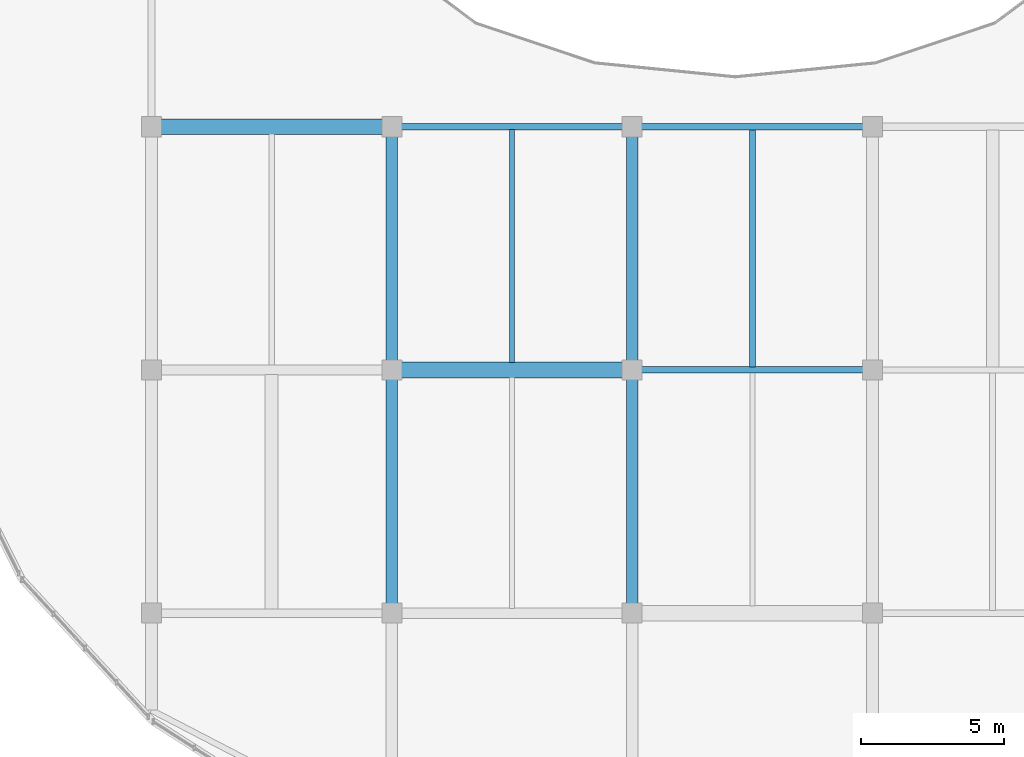
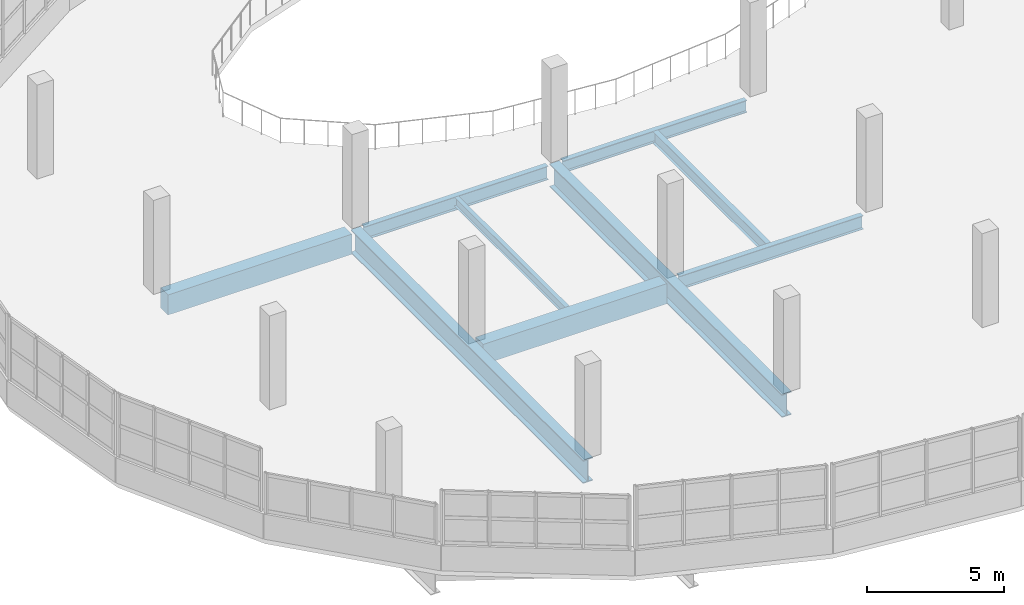
# One storey, part 12 of 52: 9 beams.
"""IFC4 building model written with IfcOpenShell, lengths in metres."""

import ifcopenshell
import ifcopenshell.guid

model = None  # the IFC model being written
_history = None  # IfcOwnerHistory: only IFC2X3 demands one
_inside = {}  # id of a spatial element -> (the spatial element, [elements in it])
_under = {}  # id of a project, library or spatial element -> (it, [spatial elements below it])
_declared = {}  # id of a project -> (the project, [libraries it declares])
_typed = {}  # id of a type object -> (the type object, [elements of that type])
_made_of = {}  # id of a material, layer set ... -> (it, [elements and type objects made of it])


def new_model(schema):
    """Start an empty IFC model of exactly this schema.

    Asked for "IFC4X3", IfcOpenShell would pick the latest addendum, in which some entities
    have other attributes; the version numbers below select the first issue.
    IFC2X3 requires an IfcOwnerHistory on every rooted entity: one is made here for all.
    """
    global model, _history
    if schema == "IFC4X3":
        model = ifcopenshell.file(schema_version=(4, 3, 0, 0))
    else:
        model = ifcopenshell.file(schema=schema)
    _inside.clear()
    _under.clear()
    _declared.clear()
    _typed.clear()
    _made_of.clear()
    _history = None
    if model.schema == "IFC2X3":
        org = make("IfcOrganization", Name="unknown")
        user = make(
            "IfcPersonAndOrganization",
            ThePerson=make("IfcPerson", FamilyName="unknown"),
            TheOrganization=org,
        )
        app = make(
            "IfcApplication",
            ApplicationDeveloper=org,
            Version="unknown",
            ApplicationFullName="unknown",
            ApplicationIdentifier="unknown",
        )
        _history = make(
            "IfcOwnerHistory",
            OwningUser=user,
            OwningApplication=app,
            ChangeAction="ADDED",
            CreationDate=0,
        )
    return model


def make(cls, **values):
    """One entity of the class cls with the attributes given. An attribute that is None is left unset."""
    return model.create_entity(
        cls, **{name: value for name, value in values.items() if value is not None}
    )


def rooted(cls, **values):
    """An entity with a GlobalId (a new one), such as an element, a storey or a relation."""
    return make(cls, GlobalId=ifcopenshell.guid.new(), OwnerHistory=_history, **values)


def si_unit(unit_type, name, prefix=None):
    """IfcSIUnit, for example si_unit("LENGTHUNIT", "METRE", prefix="MILLI")."""
    return make("IfcSIUnit", UnitType=unit_type, Prefix=prefix, Name=name)


def assignment(units):
    """IfcUnitAssignment: the units of a project."""
    return None if units is None else make("IfcUnitAssignment", Units=units)


def point(xyz):
    """IfcCartesianPoint."""
    return None if xyz is None else make("IfcCartesianPoint", Coordinates=xyz)


def direction(xyz):
    """IfcDirection."""
    return None if xyz is None else make("IfcDirection", DirectionRatios=xyz)


def frame(location, z_axis=None, x_axis=None):
    """IfcAxis2Placement3D, a coordinate frame: its origin and axes. An axis left out is left unset."""
    return make(
        "IfcAxis2Placement3D",
        Location=point(location),
        Axis=direction(z_axis),
        RefDirection=direction(x_axis),
    )


def frame_2d(location, x_axis=None):
    """IfcAxis2Placement2D, a coordinate frame in the plane: its origin and x axis."""
    return make(
        "IfcAxis2Placement2D", Location=point(location), RefDirection=direction(x_axis)
    )


def origin():
    """The frame at (0, 0, 0) with its axes left unset."""
    return frame((0.0, 0.0, 0.0))


def origin_2d():
    """The frame at (0, 0) in the plane with its x axis left unset."""
    return frame_2d((0.0, 0.0))


def place(relative_to, where):
    """IfcLocalPlacement: puts the frame where relative to a parent placement (None: the world)."""
    return make(
        "IfcLocalPlacement", PlacementRelTo=relative_to, RelativePlacement=where
    )


def context(
    kind, dimensions, precision=None, world=None, true_north=None, identifier=None
):
    """IfcGeometricRepresentationContext, for example the 3D "Model" context."""
    return make(
        "IfcGeometricRepresentationContext",
        ContextIdentifier=identifier,
        ContextType=kind,
        CoordinateSpaceDimension=dimensions,
        Precision=precision,
        WorldCoordinateSystem=world,
        TrueNorth=true_north,
    )


def subcontext(parent, identifier, kind, view, scale=None):
    """IfcGeometricRepresentationSubContext, for example "Body" below "Model"."""
    return make(
        "IfcGeometricRepresentationSubContext",
        ContextIdentifier=identifier,
        ContextType=kind,
        ParentContext=parent,
        TargetScale=scale,
        TargetView=view,
    )


def project(units=None, contexts=None):
    """IfcProject with its units and contexts."""
    return rooted(
        "IfcProject",
        Name="project",
        RepresentationContexts=contexts,
        UnitsInContext=assignment(units),
    )


def spatial(cls, under=None, at=None, **own):
    """A site, building, storey or space (cls), placed at a placement, below another one or the project."""
    s = rooted(cls, ObjectPlacement=at, **own)
    if under is not None:
        _under.setdefault(under.id(), (under, []))[1].append(s)
    return s


def profile(cls, at=None, kind="AREA", **sizes):
    """A parametric profile (cls). Its sizes go by their IFC names, for example OverallWidth=200.0."""
    return make(cls, ProfileType=kind, Position=at, **sizes)


def rectangle(**sizes):
    """IfcRectangleProfileDef."""
    return profile("IfcRectangleProfileDef", **sizes)


def i_section(**sizes):
    """IfcIShapeProfileDef."""
    return profile("IfcIShapeProfileDef", **sizes)


def extrude(swept, where, along, depth):
    """IfcExtrudedAreaSolid: the profile swept, set in the frame where, extruded along a direction by depth."""
    return make(
        "IfcExtrudedAreaSolid",
        SweptArea=swept,
        Position=where,
        ExtrudedDirection=direction(along),
        Depth=depth,
    )


def shape(context_of_items, identifier, shape_type, items):
    """IfcShapeRepresentation: the items that make up one representation, for example the "Body"."""
    return make(
        "IfcShapeRepresentation",
        ContextOfItems=context_of_items,
        RepresentationIdentifier=identifier,
        RepresentationType=shape_type,
        Items=items,
    )


def material(Name=None, Category=None):
    """IfcMaterial."""
    return make("IfcMaterial", Name=Name, Category=Category)


def material_profile(
    of_material, cross_section, Name=None, Category=None, Priority=None
):
    """IfcMaterialProfile: a cross section and its material."""
    return make(
        "IfcMaterialProfile",
        Name=Name,
        Material=of_material,
        Profile=cross_section,
        Priority=Priority,
        Category=Category,
    )


def profile_set(profiles, Name=None, composite=None):
    """IfcMaterialProfileSet."""
    return make(
        "IfcMaterialProfileSet",
        Name=Name,
        MaterialProfiles=profiles,
        CompositeProfile=composite,
    )


def made_of(thing, what):
    """Note that an element or type object is made of a material, layer set ...; save() writes the relation."""
    if what is not None:
        _made_of.setdefault(what.id(), (what, []))[1].append(thing)
    return thing


def type_object(cls, material=None, **own):
    """A type object (cls), such as IfcWallType, which elements share."""
    return made_of(rooted(cls, **own), material)


def element(
    cls,
    number,
    at=None,
    inside=None,
    cuts=None,
    type_object=None,
    material=None,
    context=None,
    identifier="Body",
    shape_type=None,
    held_by="IfcProductDefinitionShape",
    body=None,
    shapes=None,
    **own,
):
    """One element of the class cls, such as IfcWall. Its Tag is "e" and its number.

    at: its placement. inside: the storey or other place that contains it. cuts: it is an
    opening in that element (IfcRelVoidsElement). A single representation is given by context,
    identifier, shape_type and body (its items); several are given by shapes. held_by: the class
    of the entity that holds the representations. save() writes the other relations.
    """
    e = rooted(cls, Tag="e%d" % number, ObjectPlacement=at, **own)
    if body is not None:
        shapes = [shape(context, identifier, shape_type, body)]
    if shapes is not None:
        e.Representation = make(held_by, Representations=shapes)
    if inside is not None:
        _inside.setdefault(inside.id(), (inside, []))[1].append(e)
    if cuts is not None:
        rooted(
            "IfcRelVoidsElement", RelatingBuildingElement=cuts, RelatedOpeningElement=e
        )
    if type_object is not None:
        _typed.setdefault(type_object.id(), (type_object, []))[1].append(e)
    return made_of(e, material)


def aggregate(whole, parts):
    """IfcRelAggregates: a whole, such as a stair, and the parts it consists of."""
    return rooted("IfcRelAggregates", RelatingObject=whole, RelatedObjects=parts)


def save(model, path):
    """Write the relations noted so far, then the file.

    IfcRelAggregates (storeys below a building ...), IfcRelContainedInSpatialStructure (elements
    in a storey), IfcRelDefinesByType, IfcRelAssociatesMaterial and IfcRelDeclares: one each for
    every whole, place, type object, material and project.
    """
    for whole, parts in _under.values():
        aggregate(whole, parts)
    for where, things in _inside.values():
        rooted(
            "IfcRelContainedInSpatialStructure",
            RelatedElements=things,
            RelatingStructure=where,
        )
    for kind, things in _typed.values():
        rooted("IfcRelDefinesByType", RelatedObjects=things, RelatingType=kind)
    for what, things in _made_of.values():
        rooted("IfcRelAssociatesMaterial", RelatedObjects=things, RelatingMaterial=what)
    for by, libraries in _declared.values():
        rooted("IfcRelDeclares", RelatingContext=by, RelatedDefinitions=libraries)
    model.write(path)


model = new_model("IFC4")

# Units and contexts
model_context = context("Model", 3, precision=1e-05, world=origin(), true_north=direction((0.0, 1.0)))
body_context = subcontext(model_context, "Body", "Model", "MODEL_VIEW")
ifc_project = project(units=[si_unit("LENGTHUNIT", "METRE"), si_unit("AREAUNIT", "SQUARE_METRE"), si_unit("VOLUMEUNIT", "CUBIC_METRE"), si_unit("PLANEANGLEUNIT", "RADIAN"), si_unit("MASSUNIT", "GRAM", prefix="KILO")], contexts=[model_context])

# Site, building, storey
site_placement = place(None, origin())
site = spatial("IfcSite", under=ifc_project, at=site_placement, CompositionType="ELEMENT")
building_placement = place(site_placement, origin())
building = spatial("IfcBuilding", under=site, at=building_placement, Name="Solvento Point Concert Hall", CompositionType="ELEMENT")
storey_placement = place(building_placement, frame((0.0, 0.0, 19.5)))
storey = spatial("IfcBuildingStorey", under=building, at=storey_placement, Name="L04", CompositionType="ELEMENT", Elevation=19.5)

# Beams
ifc_material_1 = material(Name="Structural Steel ASTM A992 Grade 50", Category="steel")
ifc_material_profile_1 = material_profile(ifc_material_1, i_section(OverallWidth=0.20947265625, OverallDepth=0.532958984375, WebThickness=0.01025390625, FlangeThickness=0.015625, at=origin_2d()), Name="W21X62")
ifc_profile_set_1 = profile_set([ifc_material_profile_1], Name="Structural Steel ASTM A992 Grade 50")
beam_type_1 = type_object("IfcBeamType", Name="Beam_W21X62", PredefinedType="BEAM", material=ifc_profile_set_1)
beam_1_placement = place(storey_placement, frame((61.800048828125, 25.59912109375, -0.560546875), z_axis=(0.0, 1.0, 0.0), x_axis=(-1.0, 0.0, 0.0)))
element("IfcBeam", 1, at=beam_1_placement, inside=storey, type_object=beam_type_1, Name="Secondary floor joist B-25 L04", PredefinedType="BEAM", context=body_context, shape_type="SweptSolid", body=[
    extrude(i_section(OverallWidth=0.20947265625, OverallDepth=0.532958984375, WebThickness=0.01025390625, FlangeThickness=0.015625, at=origin_2d()), origin(), (0.0, 0.0, 1.0), 8.308837890625),
])
ifc_material_2 = material(Name="Structural Steel ASTM A992 Grade 50", Category="steel")
ifc_material_profile_2 = material_profile(ifc_material_2, i_section(OverallWidth=0.214111328125, OverallDepth=0.549072265625, WebThickness=0.0146484375, FlangeThickness=0.023681640625, at=origin_2d()), Name="W21X93")
ifc_profile_set_2 = profile_set([ifc_material_profile_2], Name="Structural Steel ASTM A992 Grade 50")
beam_type_2 = type_object("IfcBeamType", Name="Beam_W21X93", PredefinedType="BEAM", material=ifc_profile_set_2)
beam_2_placement = place(storey_placement, frame((57.9189453125, 34.0, -0.568603515625), z_axis=(1.0, 0.0, 0.0), x_axis=(0.0, 1.0, 0.0)))
element("IfcBeam", 2, at=beam_2_placement, inside=storey, type_object=beam_type_2, Name="Primary girder B-48 L04", PredefinedType="BEAM", context=body_context, shape_type="SweptSolid", body=[
    extrude(i_section(OverallWidth=0.214111328125, OverallDepth=0.549072265625, WebThickness=0.0146484375, FlangeThickness=0.023681640625, at=origin_2d()), origin(), (0.0, 0.0, 1.0), 7.761962890625),
])
ifc_material_3 = material(Name="Structural Steel ASTM A992 Grade 50", Category="steel")
ifc_material_profile_3 = material_profile(ifc_material_3, i_section(OverallWidth=0.228515625, OverallDepth=0.60791015625, WebThickness=0.01123046875, FlangeThickness=0.017333984375, at=origin_2d()), Name="W24X76")
ifc_profile_set_3 = profile_set([ifc_material_profile_3], Name="Structural Steel ASTM A992 Grade 50")
beam_type_3 = type_object("IfcBeamType", Name="Beam_W24X76", PredefinedType="BEAM", material=ifc_profile_set_3)
for number, where, z_axis, x_axis, name in (
    (3, (57.9189453125, 25.5, -0.597900390625), (1.0, 0.0, 0.0), (0.0, 1.0, 0.0), "Primary girder B-42 L04"),
    (4, (49.51904296875, 34.0, -0.597900390625), (1.0, 0.0, 0.0), (0.0, 1.0, 0.0), "Primary girder B-42 L04"),
):
    element("IfcBeam", number, at=place(storey_placement, frame(where, z_axis=z_axis, x_axis=x_axis)), inside=storey, type_object=beam_type_3, Name=name, PredefinedType="BEAM", context=body_context, shape_type="SweptSolid", body=[
        extrude(i_section(OverallWidth=0.228515625, OverallDepth=0.60791015625, WebThickness=0.01123046875, FlangeThickness=0.017333984375, at=origin_2d()), origin(), (0.0, 0.0, 1.0), 7.761962890625),
    ])
ifc_material_4 = material(Name="Structural Steel ASTM A992 Grade 50", Category="steel")
ifc_material_profile_4 = material_profile(ifc_material_4, i_section(OverallWidth=0.408935546875, OverallDepth=1.041015625, WebThickness=0.031005859375, FlangeThickness=0.04443359375, at=origin_2d()), Name="W40X397")
ifc_profile_set_4 = profile_set([ifc_material_profile_4], Name="Structural Steel ASTM A992 Grade 50")
beam_type_4 = type_object("IfcBeamType", Name="CantileverGirder_W40X397", PredefinedType="USERDEFINED", material=ifc_profile_set_4)
for number, where, z_axis, x_axis, name in (
    (5, (49.199951171875, 34.0, -0.8154296875), (0.0, -1.0, 0.0), (1.0, 0.0, 0.0), "Radial back-span girder CG-01 L04"),
    (6, (57.60009765625, 34.0, -0.8154296875), (0.0, -1.0, 0.0), (1.0, 0.0, 0.0), "Radial back-span girder CG-01 L04"),
):
    element("IfcBeam", number, at=place(storey_placement, frame(where, z_axis=z_axis, x_axis=x_axis)), inside=storey, type_object=beam_type_4, Name=name, ObjectType="GIRDER", PredefinedType="USERDEFINED", context=body_context, shape_type="SweptSolid", body=[
        extrude(i_section(OverallWidth=0.408935546875, OverallDepth=1.041015625, WebThickness=0.031005859375, FlangeThickness=0.04443359375, at=origin_2d()), origin(), (0.0, 0.0, 1.0), 17.0),
    ])
ifc_material_5 = material(Name="Concrete C35/45", Category="concrete")
ifc_material_profile_5 = material_profile(ifc_material_5, rectangle(XDim=0.550048828125, YDim=0.89990234375, at=origin_2d()), Name="RC-BM-550X900")
ifc_profile_set_5 = profile_set([ifc_material_profile_5], Name="Concrete C35/45")
beam_type_5 = type_object("IfcBeamType", Name="Girder_RC_550x900", PredefinedType="USERDEFINED", material=ifc_profile_set_5)
beam_3_placement = place(storey_placement, frame((49.51904296875, 25.5, -0.743896484375), z_axis=(1.0, 0.0, 0.0), x_axis=(0.0, 1.0, 0.0)))
element("IfcBeam", 7, at=beam_3_placement, inside=storey, type_object=beam_type_5, Name="Primary girder B-39 L04", ObjectType="GIRDER", PredefinedType="USERDEFINED", context=body_context, shape_type="SweptSolid", body=[
    extrude(rectangle(XDim=0.550048828125, YDim=0.89990234375, at=origin_2d()), origin(), (0.0, 0.0, 1.0), 7.761962890625),
])
beam_4_placement = place(storey_placement, frame((41.118896484375, 34.0, -0.743896484375), z_axis=(1.0, 0.0, 0.0), x_axis=(0.0, 1.0, 0.0)))
element("IfcBeam", 8, at=beam_4_placement, inside=storey, type_object=beam_type_5, Name="Primary girder B-39 L04", ObjectType="GIRDER", PredefinedType="USERDEFINED", context=body_context, shape_type="SweptSolid", body=[
    extrude(rectangle(XDim=0.550048828125, YDim=0.89990234375, at=origin_2d()), origin(), (0.0, 0.0, 1.0), 7.76220703125),
])
ifc_material_6 = material(Name="Structural Steel ASTM A992 Grade 50", Category="steel")
ifc_material_profile_6 = material_profile(ifc_material_6, i_section(OverallWidth=0.177490234375, OverallDepth=0.403076171875, WebThickness=0.007568359375, FlangeThickness=0.010986328125, at=origin_2d()), Name="W16X36")
ifc_profile_set_6 = profile_set([ifc_material_profile_6], Name="Structural Steel ASTM A992 Grade 50")
beam_type_6 = type_object("IfcBeamType", Name="Joist_W16X36", PredefinedType="JOIST", material=ifc_profile_set_6)
beam_5_placement = place(storey_placement, frame((53.39990234375, 25.760009765625, -0.49560546875), z_axis=(0.0, 1.0, 0.0), x_axis=(-1.0, 0.0, 0.0)))
element("IfcBeam", 9, at=beam_5_placement, inside=storey, type_object=beam_type_6, Name="Secondary floor joist B-30 L04", PredefinedType="JOIST", context=body_context, shape_type="SweptSolid", body=[
    extrude(i_section(OverallWidth=0.177490234375, OverallDepth=0.403076171875, WebThickness=0.007568359375, FlangeThickness=0.010986328125, at=origin_2d()), origin(), (0.0, 0.0, 1.0), 8.140869140625),
])

save(model, "model.ifc")
